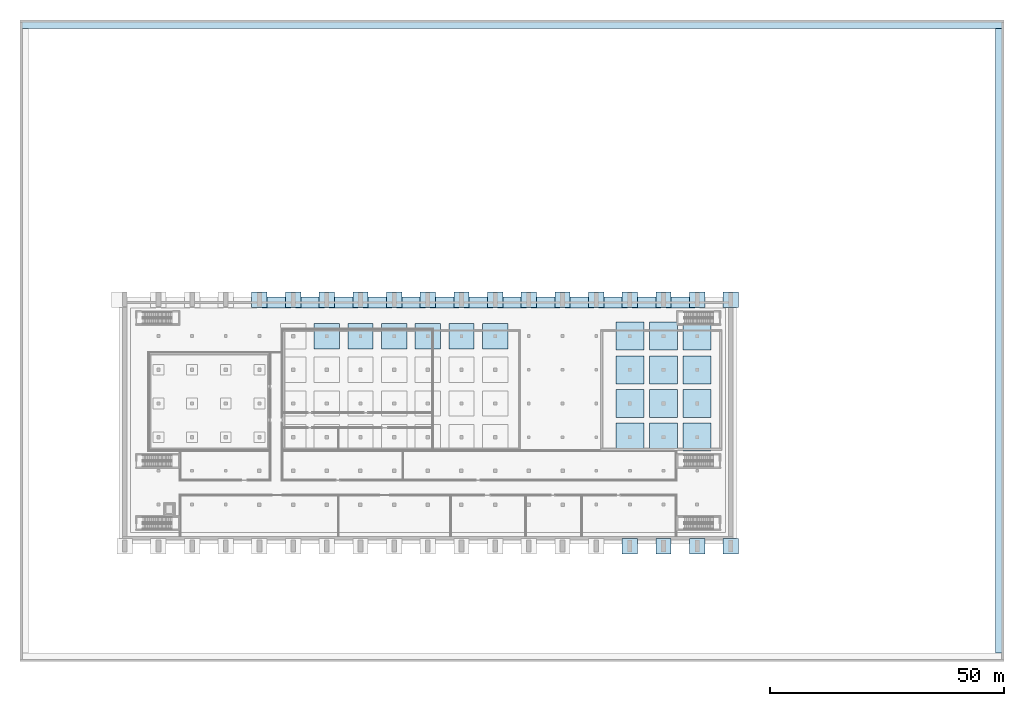
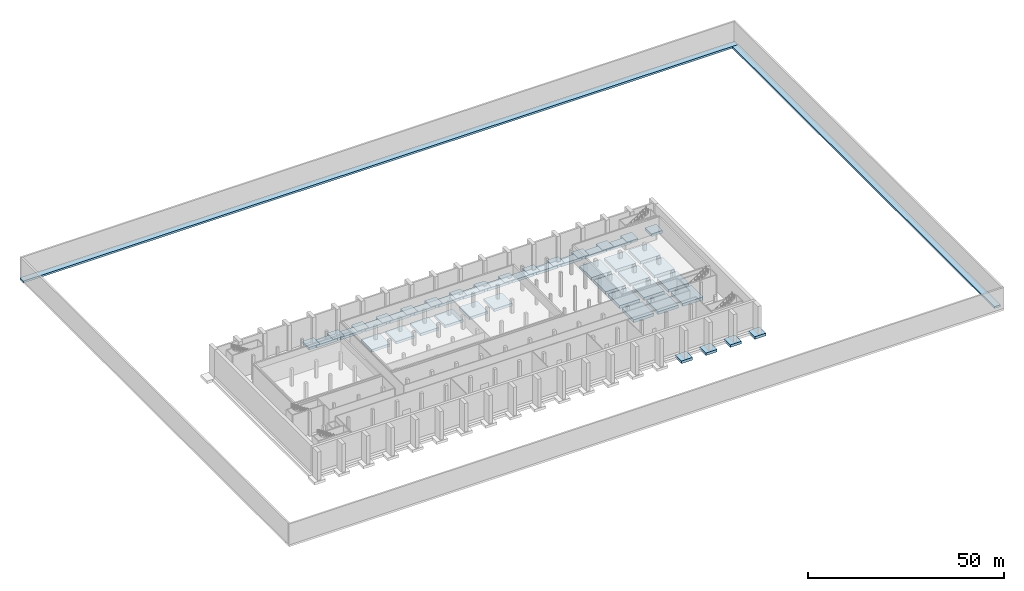
# One storey, part 2 of 14: 52 footings.
"""IFC4 building model written with IfcOpenShell, lengths in metres."""

from ifc_helpers import new_model, si_unit, direction, frame, origin, place, context, subcontext, project, spatial, polyline, outline, extrude, material, layer, layer_set, type_object, element, save


model = new_model("IFC4")

# Units and contexts
model_context = context("Model", 3, precision=1e-05, world=origin(), true_north=direction((0.0, 1.0)))
body_context = subcontext(model_context, "Body", "Model", "MODEL_VIEW")
ifc_project = project(units=[si_unit("LENGTHUNIT", "METRE"), si_unit("AREAUNIT", "SQUARE_METRE"), si_unit("VOLUMEUNIT", "CUBIC_METRE"), si_unit("PLANEANGLEUNIT", "RADIAN"), si_unit("MASSUNIT", "GRAM", prefix="KILO")], contexts=[model_context])

# Site, building, storey
site_placement = place(None, origin())
site = spatial("IfcSite", under=ifc_project, at=site_placement, CompositionType="ELEMENT")
building_placement = place(site_placement, origin())
building = spatial("IfcBuilding", under=site, at=building_placement, Name="Vermilion Court Aquatics Centre", CompositionType="ELEMENT")
storey_placement = place(building_placement, frame((0.0, 0.0, -8.0)))
storey = spatial("IfcBuildingStorey", under=building, at=storey_placement, Name="B1", CompositionType="ELEMENT", Elevation=-8.0)

# Footings
ifc_material_1 = material(Name="Concrete 5000 psi", Category="concrete")
ifc_layer_1 = layer(ifc_material_1, 0.800048828125)
ifc_layer_set_1 = layer_set([ifc_layer_1], Name="Hall competition column pad footing 5400")
footing_type_1 = type_object("IfcFootingType", Name="Hall competition column pad footing 5400", PredefinedType="PAD_FOOTING", material=ifc_layer_set_1)
footing_1_placement = place(storey_placement, frame((0.0, 0.0, -1.60009765625)))
element("IfcFooting", 1, at=footing_1_placement, inside=storey, type_object=footing_type_1, Name="Column pad footing", PredefinedType="PAD_FOOTING", context=body_context, shape_type="SweptSolid", body=[
    extrude(outline(polyline([(54.89990234375, 54.89990234375), (60.300048828125, 54.89990234375), (60.300048828125, 60.300048828125), (54.89990234375, 60.300048828125), (54.89990234375, 54.89990234375)])), origin(), (0.0, 0.0, 1.0), 0.800048828125),
])
footing_2_placement = place(storey_placement, frame((0.0, 0.0, -1.60009765625)))
element("IfcFooting", 2, at=footing_2_placement, inside=storey, type_object=footing_type_1, Name="Column pad footing", PredefinedType="PAD_FOOTING", context=body_context, shape_type="SweptSolid", body=[
    extrude(outline(polyline([(62.10009765625, 54.89990234375), (67.5, 54.89990234375), (67.5, 60.300048828125), (62.10009765625, 60.300048828125), (62.10009765625, 54.89990234375)])), origin(), (0.0, 0.0, 1.0), 0.800048828125),
])
footing_3_placement = place(storey_placement, frame((0.0, 0.0, -1.60009765625)))
element("IfcFooting", 3, at=footing_3_placement, inside=storey, type_object=footing_type_1, Name="Column pad footing", PredefinedType="PAD_FOOTING", context=body_context, shape_type="SweptSolid", body=[
    extrude(outline(polyline([(69.300048828125, 54.89990234375), (74.699951171875, 54.89990234375), (74.699951171875, 60.300048828125), (69.300048828125, 60.300048828125), (69.300048828125, 54.89990234375)])), origin(), (0.0, 0.0, 1.0), 0.800048828125),
])
footing_4_placement = place(storey_placement, frame((0.0, 0.0, -1.60009765625)))
element("IfcFooting", 4, at=footing_4_placement, inside=storey, type_object=footing_type_1, Name="Column pad footing", PredefinedType="PAD_FOOTING", context=body_context, shape_type="SweptSolid", body=[
    extrude(outline(polyline([(76.5, 54.89990234375), (81.89990234375, 54.89990234375), (81.89990234375, 60.300048828125), (76.5, 60.300048828125), (76.5, 54.89990234375)])), origin(), (0.0, 0.0, 1.0), 0.800048828125),
])
footing_5_placement = place(storey_placement, frame((0.0, 0.0, -1.60009765625)))
element("IfcFooting", 5, at=footing_5_placement, inside=storey, type_object=footing_type_1, Name="Column pad footing", PredefinedType="PAD_FOOTING", context=body_context, shape_type="SweptSolid", body=[
    extrude(outline(polyline([(83.699951171875, 54.89990234375), (89.10009765625, 54.89990234375), (89.10009765625, 60.300048828125), (83.699951171875, 60.300048828125), (83.699951171875, 54.89990234375)])), origin(), (0.0, 0.0, 1.0), 0.800048828125),
])
footing_6_placement = place(storey_placement, frame((0.0, 0.0, -1.60009765625)))
element("IfcFooting", 6, at=footing_6_placement, inside=storey, type_object=footing_type_1, Name="Column pad footing", PredefinedType="PAD_FOOTING", context=body_context, shape_type="SweptSolid", body=[
    extrude(outline(polyline([(90.89990234375, 54.89990234375), (96.300048828125, 54.89990234375), (96.300048828125, 60.300048828125), (90.89990234375, 60.300048828125), (90.89990234375, 54.89990234375)])), origin(), (0.0, 0.0, 1.0), 0.800048828125),
])
ifc_material_2 = material(Name="Concrete 5000 psi", Category="concrete")
ifc_layer_2 = layer(ifc_material_2, 0.89990234375)
ifc_layer_set_2 = layer_set([ifc_layer_2], Name="Hall diving column pad footing 6000")
footing_type_2 = type_object("IfcFootingType", Name="Hall diving column pad footing 6000", PredefinedType="PAD_FOOTING", material=ifc_layer_set_2)
footing_7_placement = place(storey_placement, frame((0.0, 0.0, -1.699951171875)))
element("IfcFooting", 7, at=footing_7_placement, inside=storey, type_object=footing_type_2, Name="Column pad footing", PredefinedType="PAD_FOOTING", context=body_context, shape_type="SweptSolid", body=[
    extrude(outline(polyline([(119.39990234375, 33.0), (125.39990234375, 33.0), (125.39990234375, 39.0), (119.39990234375, 39.0), (119.39990234375, 33.0)])), origin(), (0.0, 0.0, 1.0), 0.89990234375),
])
footing_8_placement = place(storey_placement, frame((0.0, 0.0, -1.699951171875)))
element("IfcFooting", 8, at=footing_8_placement, inside=storey, type_object=footing_type_2, Name="Column pad footing", PredefinedType="PAD_FOOTING", context=body_context, shape_type="SweptSolid", body=[
    extrude(outline(polyline([(119.39990234375, 40.199951171875), (125.39990234375, 40.199951171875), (125.39990234375, 46.199951171875), (119.39990234375, 46.199951171875), (119.39990234375, 40.199951171875)])), origin(), (0.0, 0.0, 1.0), 0.89990234375),
])
footing_9_placement = place(storey_placement, frame((0.0, 0.0, -1.699951171875)))
element("IfcFooting", 9, at=footing_9_placement, inside=storey, type_object=footing_type_2, Name="Column pad footing", PredefinedType="PAD_FOOTING", context=body_context, shape_type="SweptSolid", body=[
    extrude(outline(polyline([(119.39990234375, 47.39990234375), (125.39990234375, 47.39990234375), (125.39990234375, 53.39990234375), (119.39990234375, 53.39990234375), (119.39990234375, 47.39990234375)])), origin(), (0.0, 0.0, 1.0), 0.89990234375),
])
footing_10_placement = place(storey_placement, frame((0.0, 0.0, -1.699951171875)))
element("IfcFooting", 10, at=footing_10_placement, inside=storey, type_object=footing_type_2, Name="Column pad footing", PredefinedType="PAD_FOOTING", context=body_context, shape_type="SweptSolid", body=[
    extrude(outline(polyline([(119.39990234375, 54.60009765625), (125.39990234375, 54.60009765625), (125.39990234375, 60.60009765625), (119.39990234375, 60.60009765625), (119.39990234375, 54.60009765625)])), origin(), (0.0, 0.0, 1.0), 0.89990234375),
])
footing_11_placement = place(storey_placement, frame((0.0, 0.0, -1.699951171875)))
element("IfcFooting", 11, at=footing_11_placement, inside=storey, type_object=footing_type_2, Name="Column pad footing", PredefinedType="PAD_FOOTING", context=body_context, shape_type="SweptSolid", body=[
    extrude(outline(polyline([(126.60009765625, 33.0), (132.60009765625, 33.0), (132.60009765625, 39.0), (126.60009765625, 39.0), (126.60009765625, 33.0)])), origin(), (0.0, 0.0, 1.0), 0.89990234375),
])
footing_12_placement = place(storey_placement, frame((0.0, 0.0, -1.699951171875)))
element("IfcFooting", 12, at=footing_12_placement, inside=storey, type_object=footing_type_2, Name="Column pad footing", PredefinedType="PAD_FOOTING", context=body_context, shape_type="SweptSolid", body=[
    extrude(outline(polyline([(126.60009765625, 40.199951171875), (132.60009765625, 40.199951171875), (132.60009765625, 46.199951171875), (126.60009765625, 46.199951171875), (126.60009765625, 40.199951171875)])), origin(), (0.0, 0.0, 1.0), 0.89990234375),
])
footing_13_placement = place(storey_placement, frame((0.0, 0.0, -1.699951171875)))
element("IfcFooting", 13, at=footing_13_placement, inside=storey, type_object=footing_type_2, Name="Column pad footing", PredefinedType="PAD_FOOTING", context=body_context, shape_type="SweptSolid", body=[
    extrude(outline(polyline([(126.60009765625, 47.39990234375), (132.60009765625, 47.39990234375), (132.60009765625, 53.39990234375), (126.60009765625, 53.39990234375), (126.60009765625, 47.39990234375)])), origin(), (0.0, 0.0, 1.0), 0.89990234375),
])
footing_14_placement = place(storey_placement, frame((0.0, 0.0, -1.699951171875)))
element("IfcFooting", 14, at=footing_14_placement, inside=storey, type_object=footing_type_2, Name="Column pad footing", PredefinedType="PAD_FOOTING", context=body_context, shape_type="SweptSolid", body=[
    extrude(outline(polyline([(126.60009765625, 54.60009765625), (132.60009765625, 54.60009765625), (132.60009765625, 60.60009765625), (126.60009765625, 60.60009765625), (126.60009765625, 54.60009765625)])), origin(), (0.0, 0.0, 1.0), 0.89990234375),
])
footing_15_placement = place(storey_placement, frame((0.0, 0.0, -1.699951171875)))
element("IfcFooting", 15, at=footing_15_placement, inside=storey, type_object=footing_type_2, Name="Column pad footing", PredefinedType="PAD_FOOTING", context=body_context, shape_type="SweptSolid", body=[
    extrude(outline(polyline([(133.800048828125, 33.0), (139.800048828125, 33.0), (139.800048828125, 39.0), (133.800048828125, 39.0), (133.800048828125, 33.0)])), origin(), (0.0, 0.0, 1.0), 0.89990234375),
])
footing_16_placement = place(storey_placement, frame((0.0, 0.0, -1.699951171875)))
element("IfcFooting", 16, at=footing_16_placement, inside=storey, type_object=footing_type_2, Name="Column pad footing", PredefinedType="PAD_FOOTING", context=body_context, shape_type="SweptSolid", body=[
    extrude(outline(polyline([(133.800048828125, 40.199951171875), (139.800048828125, 40.199951171875), (139.800048828125, 46.199951171875), (133.800048828125, 46.199951171875), (133.800048828125, 40.199951171875)])), origin(), (0.0, 0.0, 1.0), 0.89990234375),
])
footing_17_placement = place(storey_placement, frame((0.0, 0.0, -1.699951171875)))
element("IfcFooting", 17, at=footing_17_placement, inside=storey, type_object=footing_type_2, Name="Column pad footing", PredefinedType="PAD_FOOTING", context=body_context, shape_type="SweptSolid", body=[
    extrude(outline(polyline([(133.800048828125, 47.39990234375), (139.800048828125, 47.39990234375), (139.800048828125, 53.39990234375), (133.800048828125, 53.39990234375), (133.800048828125, 47.39990234375)])), origin(), (0.0, 0.0, 1.0), 0.89990234375),
])
footing_18_placement = place(storey_placement, frame((0.0, 0.0, -1.699951171875)))
element("IfcFooting", 18, at=footing_18_placement, inside=storey, type_object=footing_type_2, Name="Column pad footing", PredefinedType="PAD_FOOTING", context=body_context, shape_type="SweptSolid", body=[
    extrude(outline(polyline([(133.800048828125, 54.60009765625), (139.800048828125, 54.60009765625), (139.800048828125, 60.60009765625), (133.800048828125, 60.60009765625), (133.800048828125, 54.60009765625)])), origin(), (0.0, 0.0, 1.0), 0.89990234375),
])
ifc_material_3 = material(Name="Concrete 5000 psi", Category="concrete")
ifc_layer_3 = layer(ifc_material_3, 0.800048828125)
ifc_layer_set_3 = layer_set([ifc_layer_3], Name="Hall pier pad footing 3300")
footing_type_3 = type_object("IfcFootingType", Name="Hall pier pad footing 3300", PredefinedType="PAD_FOOTING", material=ifc_layer_set_3)
footing_19_placement = place(storey_placement, frame((0.0, 0.0, -1.60009765625)))
element("IfcFooting", 19, at=footing_19_placement, inside=storey, type_object=footing_type_3, Name="Pier pad footing", PredefinedType="PAD_FOOTING", context=body_context, shape_type="SweptSolid", body=[
    extrude(outline(polyline([(41.550048828125, 63.75), (44.85009765625, 63.75), (44.85009765625, 67.050048828125), (41.550048828125, 67.050048828125), (41.550048828125, 63.75)])), origin(), (0.0, 0.0, 1.0), 0.800048828125),
])
footing_20_placement = place(storey_placement, frame((0.0, 0.0, -1.60009765625)))
element("IfcFooting", 20, at=footing_20_placement, inside=storey, type_object=footing_type_3, Name="Pier pad footing", PredefinedType="PAD_FOOTING", context=body_context, shape_type="SweptSolid", body=[
    extrude(outline(polyline([(48.75, 63.75), (52.050048828125, 63.75), (52.050048828125, 67.050048828125), (48.75, 67.050048828125), (48.75, 63.75)])), origin(), (0.0, 0.0, 1.0), 0.800048828125),
])
footing_21_placement = place(storey_placement, frame((0.0, 0.0, -1.60009765625)))
element("IfcFooting", 21, at=footing_21_placement, inside=storey, type_object=footing_type_3, Name="Pier pad footing", PredefinedType="PAD_FOOTING", context=body_context, shape_type="SweptSolid", body=[
    extrude(outline(polyline([(55.949951171875, 63.75), (59.25, 63.75), (59.25, 67.050048828125), (55.949951171875, 67.050048828125), (55.949951171875, 63.75)])), origin(), (0.0, 0.0, 1.0), 0.800048828125),
])
footing_22_placement = place(storey_placement, frame((0.0, 0.0, -1.60009765625)))
element("IfcFooting", 22, at=footing_22_placement, inside=storey, type_object=footing_type_3, Name="Pier pad footing", PredefinedType="PAD_FOOTING", context=body_context, shape_type="SweptSolid", body=[
    extrude(outline(polyline([(63.14990234375, 63.75), (66.449951171875, 63.75), (66.449951171875, 67.050048828125), (63.14990234375, 67.050048828125), (63.14990234375, 63.75)])), origin(), (0.0, 0.0, 1.0), 0.800048828125),
])
footing_23_placement = place(storey_placement, frame((0.0, 0.0, -1.60009765625)))
element("IfcFooting", 23, at=footing_23_placement, inside=storey, type_object=footing_type_3, Name="Pier pad footing", PredefinedType="PAD_FOOTING", context=body_context, shape_type="SweptSolid", body=[
    extrude(outline(polyline([(70.35009765625, 63.75), (73.64990234375, 63.75), (73.64990234375, 67.050048828125), (70.35009765625, 67.050048828125), (70.35009765625, 63.75)])), origin(), (0.0, 0.0, 1.0), 0.800048828125),
])
footing_24_placement = place(storey_placement, frame((0.0, 0.0, -1.60009765625)))
element("IfcFooting", 24, at=footing_24_placement, inside=storey, type_object=footing_type_3, Name="Pier pad footing", PredefinedType="PAD_FOOTING", context=body_context, shape_type="SweptSolid", body=[
    extrude(outline(polyline([(77.550048828125, 63.75), (80.85009765625, 63.75), (80.85009765625, 67.050048828125), (77.550048828125, 67.050048828125), (77.550048828125, 63.75)])), origin(), (0.0, 0.0, 1.0), 0.800048828125),
])
footing_25_placement = place(storey_placement, frame((0.0, 0.0, -1.60009765625)))
element("IfcFooting", 25, at=footing_25_placement, inside=storey, type_object=footing_type_3, Name="Pier pad footing", PredefinedType="PAD_FOOTING", context=body_context, shape_type="SweptSolid", body=[
    extrude(outline(polyline([(84.75, 63.75), (88.050048828125, 63.75), (88.050048828125, 67.050048828125), (84.75, 67.050048828125), (84.75, 63.75)])), origin(), (0.0, 0.0, 1.0), 0.800048828125),
])
footing_26_placement = place(storey_placement, frame((0.0, 0.0, -1.60009765625)))
element("IfcFooting", 26, at=footing_26_placement, inside=storey, type_object=footing_type_3, Name="Pier pad footing", PredefinedType="PAD_FOOTING", context=body_context, shape_type="SweptSolid", body=[
    extrude(outline(polyline([(91.949951171875, 63.75), (95.25, 63.75), (95.25, 67.050048828125), (91.949951171875, 67.050048828125), (91.949951171875, 63.75)])), origin(), (0.0, 0.0, 1.0), 0.800048828125),
])
footing_27_placement = place(storey_placement, frame((0.0, 0.0, -1.60009765625)))
element("IfcFooting", 27, at=footing_27_placement, inside=storey, type_object=footing_type_3, Name="Pier pad footing", PredefinedType="PAD_FOOTING", context=body_context, shape_type="SweptSolid", body=[
    extrude(outline(polyline([(99.14990234375, 63.75), (102.449951171875, 63.75), (102.449951171875, 67.050048828125), (99.14990234375, 67.050048828125), (99.14990234375, 63.75)])), origin(), (0.0, 0.0, 1.0), 0.800048828125),
])
footing_28_placement = place(storey_placement, frame((0.0, 0.0, -1.60009765625)))
element("IfcFooting", 28, at=footing_28_placement, inside=storey, type_object=footing_type_3, Name="Pier pad footing", PredefinedType="PAD_FOOTING", context=body_context, shape_type="SweptSolid", body=[
    extrude(outline(polyline([(106.35009765625, 63.75), (109.64990234375, 63.75), (109.64990234375, 67.050048828125), (106.35009765625, 67.050048828125), (106.35009765625, 63.75)])), origin(), (0.0, 0.0, 1.0), 0.800048828125),
])
footing_29_placement = place(storey_placement, frame((0.0, 0.0, -1.60009765625)))
element("IfcFooting", 29, at=footing_29_placement, inside=storey, type_object=footing_type_3, Name="Pier pad footing", PredefinedType="PAD_FOOTING", context=body_context, shape_type="SweptSolid", body=[
    extrude(outline(polyline([(113.550048828125, 63.75), (116.85009765625, 63.75), (116.85009765625, 67.050048828125), (113.550048828125, 67.050048828125), (113.550048828125, 63.75)])), origin(), (0.0, 0.0, 1.0), 0.800048828125),
])
footing_30_placement = place(storey_placement, frame((0.0, 0.0, -1.60009765625)))
element("IfcFooting", 30, at=footing_30_placement, inside=storey, type_object=footing_type_3, Name="Pier pad footing", PredefinedType="PAD_FOOTING", context=body_context, shape_type="SweptSolid", body=[
    extrude(outline(polyline([(120.75, 63.75), (124.050048828125, 63.75), (124.050048828125, 67.050048828125), (120.75, 67.050048828125), (120.75, 63.75)])), origin(), (0.0, 0.0, 1.0), 0.800048828125),
])
footing_31_placement = place(storey_placement, frame((0.0, 0.0, -1.60009765625)))
element("IfcFooting", 31, at=footing_31_placement, inside=storey, type_object=footing_type_3, Name="Pier pad footing", PredefinedType="PAD_FOOTING", context=body_context, shape_type="SweptSolid", body=[
    extrude(outline(polyline([(120.75, 11.050048828125), (124.050048828125, 11.050048828125), (124.050048828125, 14.35009765625), (120.75, 14.35009765625), (120.75, 11.050048828125)])), origin(), (0.0, 0.0, 1.0), 0.800048828125),
])
footing_32_placement = place(storey_placement, frame((0.0, 0.0, -1.60009765625)))
element("IfcFooting", 32, at=footing_32_placement, inside=storey, type_object=footing_type_3, Name="Pier pad footing", PredefinedType="PAD_FOOTING", context=body_context, shape_type="SweptSolid", body=[
    extrude(outline(polyline([(127.949951171875, 63.75), (131.25, 63.75), (131.25, 67.050048828125), (127.949951171875, 67.050048828125), (127.949951171875, 63.75)])), origin(), (0.0, 0.0, 1.0), 0.800048828125),
])
footing_33_placement = place(storey_placement, frame((0.0, 0.0, -1.60009765625)))
element("IfcFooting", 33, at=footing_33_placement, inside=storey, type_object=footing_type_3, Name="Pier pad footing", PredefinedType="PAD_FOOTING", context=body_context, shape_type="SweptSolid", body=[
    extrude(outline(polyline([(127.949951171875, 11.050048828125), (131.25, 11.050048828125), (131.25, 14.35009765625), (127.949951171875, 14.35009765625), (127.949951171875, 11.050048828125)])), origin(), (0.0, 0.0, 1.0), 0.800048828125),
])
footing_34_placement = place(storey_placement, frame((0.0, 0.0, -1.60009765625)))
element("IfcFooting", 34, at=footing_34_placement, inside=storey, type_object=footing_type_3, Name="Pier pad footing", PredefinedType="PAD_FOOTING", context=body_context, shape_type="SweptSolid", body=[
    extrude(outline(polyline([(135.14990234375, 63.75), (138.449951171875, 63.75), (138.449951171875, 67.050048828125), (135.14990234375, 67.050048828125), (135.14990234375, 63.75)])), origin(), (0.0, 0.0, 1.0), 0.800048828125),
])
footing_35_placement = place(storey_placement, frame((0.0, 0.0, -1.60009765625)))
element("IfcFooting", 35, at=footing_35_placement, inside=storey, type_object=footing_type_3, Name="Pier pad footing", PredefinedType="PAD_FOOTING", context=body_context, shape_type="SweptSolid", body=[
    extrude(outline(polyline([(135.14990234375, 11.050048828125), (138.449951171875, 11.050048828125), (138.449951171875, 14.35009765625), (135.14990234375, 14.35009765625), (135.14990234375, 11.050048828125)])), origin(), (0.0, 0.0, 1.0), 0.800048828125),
])
footing_36_placement = place(storey_placement, frame((0.0, 0.0, -1.60009765625)))
element("IfcFooting", 36, at=footing_36_placement, inside=storey, type_object=footing_type_3, Name="Pier pad footing", PredefinedType="PAD_FOOTING", context=body_context, shape_type="SweptSolid", body=[
    extrude(outline(polyline([(142.35009765625, 63.75), (145.64990234375, 63.75), (145.64990234375, 67.050048828125), (142.35009765625, 67.050048828125), (142.35009765625, 63.75)])), origin(), (0.0, 0.0, 1.0), 0.800048828125),
])
footing_37_placement = place(storey_placement, frame((0.0, 0.0, -1.60009765625)))
element("IfcFooting", 37, at=footing_37_placement, inside=storey, type_object=footing_type_3, Name="Pier pad footing", PredefinedType="PAD_FOOTING", context=body_context, shape_type="SweptSolid", body=[
    extrude(outline(polyline([(142.35009765625, 11.050048828125), (145.64990234375, 11.050048828125), (145.64990234375, 14.35009765625), (142.35009765625, 14.35009765625), (142.35009765625, 11.050048828125)])), origin(), (0.0, 0.0, 1.0), 0.800048828125),
])
ifc_material_4 = material(Name="Concrete 5000 psi", Category="concrete")
ifc_layer_4 = layer(ifc_material_4, 0.800048828125)
ifc_layer_set_4 = layer_set([ifc_layer_4], Name="Hall wall strip footing 2400")
footing_type_4 = type_object("IfcFootingType", Name="Hall wall strip footing 2400", PredefinedType="STRIP_FOOTING", material=ifc_layer_set_4)
footing_38_placement = place(storey_placement, frame((0.0, 0.0, -1.60009765625)))
element("IfcFooting", 38, at=footing_38_placement, inside=storey, type_object=footing_type_4, Name="Wall strip footing", PredefinedType="STRIP_FOOTING", context=body_context, shape_type="SweptSolid", body=[
    extrude(outline(polyline([(43.699951171875, 63.60009765625), (43.699951171875, 63.75), (44.85009765625, 63.75), (44.85009765625, 66.0), (48.75, 66.0), (48.75, 63.75), (49.89990234375, 63.75), (49.89990234375, 63.60009765625), (43.699951171875, 63.60009765625)])), origin(), (0.0, 0.0, 1.0), 0.800048828125),
])
footing_39_placement = place(storey_placement, frame((0.0, 0.0, -1.60009765625)))
element("IfcFooting", 39, at=footing_39_placement, inside=storey, type_object=footing_type_4, Name="Wall strip footing", PredefinedType="STRIP_FOOTING", context=body_context, shape_type="SweptSolid", body=[
    extrude(outline(polyline([(50.89990234375, 63.60009765625), (50.89990234375, 63.75), (52.050048828125, 63.75), (52.050048828125, 66.0), (55.949951171875, 66.0), (55.949951171875, 63.75), (57.10009765625, 63.75), (57.10009765625, 63.60009765625), (50.89990234375, 63.60009765625)])), origin(), (0.0, 0.0, 1.0), 0.800048828125),
])
footing_40_placement = place(storey_placement, frame((0.0, 0.0, -1.60009765625)))
element("IfcFooting", 40, at=footing_40_placement, inside=storey, type_object=footing_type_4, Name="Wall strip footing", PredefinedType="STRIP_FOOTING", context=body_context, shape_type="SweptSolid", body=[
    extrude(outline(polyline([(58.10009765625, 63.75), (59.25, 63.75), (59.25, 66.0), (63.14990234375, 66.0), (63.14990234375, 63.75), (64.300048828125, 63.75), (64.300048828125, 63.60009765625), (58.10009765625, 63.60009765625), (58.10009765625, 63.75)])), origin(), (0.0, 0.0, 1.0), 0.800048828125),
])
footing_41_placement = place(storey_placement, frame((0.0, 0.0, -1.60009765625)))
element("IfcFooting", 41, at=footing_41_placement, inside=storey, type_object=footing_type_4, Name="Wall strip footing", PredefinedType="STRIP_FOOTING", context=body_context, shape_type="SweptSolid", body=[
    extrude(outline(polyline([(65.300048828125, 63.75), (66.449951171875, 63.75), (66.449951171875, 66.0), (70.35009765625, 66.0), (70.35009765625, 63.75), (71.5, 63.75), (71.5, 63.60009765625), (65.300048828125, 63.60009765625), (65.300048828125, 63.75)])), origin(), (0.0, 0.0, 1.0), 0.800048828125),
])
footing_42_placement = place(storey_placement, frame((0.0, 0.0, -1.60009765625)))
element("IfcFooting", 42, at=footing_42_placement, inside=storey, type_object=footing_type_4, Name="Wall strip footing", PredefinedType="STRIP_FOOTING", context=body_context, shape_type="SweptSolid", body=[
    extrude(outline(polyline([(72.5, 63.60009765625), (72.5, 63.75), (73.64990234375, 63.75), (73.64990234375, 66.0), (77.550048828125, 66.0), (77.550048828125, 63.75), (78.699951171875, 63.75), (78.699951171875, 63.60009765625), (72.5, 63.60009765625)])), origin(), (0.0, 0.0, 1.0), 0.800048828125),
])
footing_43_placement = place(storey_placement, frame((0.0, 0.0, -1.60009765625)))
element("IfcFooting", 43, at=footing_43_placement, inside=storey, type_object=footing_type_4, Name="Wall strip footing", PredefinedType="STRIP_FOOTING", context=body_context, shape_type="SweptSolid", body=[
    extrude(outline(polyline([(79.699951171875, 63.60009765625), (79.699951171875, 63.75), (80.85009765625, 63.75), (80.85009765625, 66.0), (84.75, 66.0), (84.75, 63.75), (85.89990234375, 63.75), (85.89990234375, 63.60009765625), (79.699951171875, 63.60009765625)])), origin(), (0.0, 0.0, 1.0), 0.800048828125),
])
footing_44_placement = place(storey_placement, frame((0.0, 0.0, -1.60009765625)))
element("IfcFooting", 44, at=footing_44_placement, inside=storey, type_object=footing_type_4, Name="Wall strip footing", PredefinedType="STRIP_FOOTING", context=body_context, shape_type="SweptSolid", body=[
    extrude(outline(polyline([(86.89990234375, 63.75), (88.050048828125, 63.75), (88.050048828125, 66.0), (91.949951171875, 66.0), (91.949951171875, 63.75), (93.10009765625, 63.75), (93.10009765625, 63.60009765625), (86.89990234375, 63.60009765625), (86.89990234375, 63.75)])), origin(), (0.0, 0.0, 1.0), 0.800048828125),
])
footing_45_placement = place(storey_placement, frame((0.0, 0.0, -1.60009765625)))
element("IfcFooting", 45, at=footing_45_placement, inside=storey, type_object=footing_type_4, Name="Wall strip footing", PredefinedType="STRIP_FOOTING", context=body_context, shape_type="SweptSolid", body=[
    extrude(outline(polyline([(94.10009765625, 63.75), (95.25, 63.75), (95.25, 66.0), (99.14990234375, 66.0), (99.14990234375, 63.75), (100.300048828125, 63.75), (100.300048828125, 63.60009765625), (94.10009765625, 63.60009765625), (94.10009765625, 63.75)])), origin(), (0.0, 0.0, 1.0), 0.800048828125),
])
footing_46_placement = place(storey_placement, frame((0.0, 0.0, -1.60009765625)))
element("IfcFooting", 46, at=footing_46_placement, inside=storey, type_object=footing_type_4, Name="Wall strip footing", PredefinedType="STRIP_FOOTING", context=body_context, shape_type="SweptSolid", body=[
    extrude(outline(polyline([(101.300048828125, 63.60009765625), (101.300048828125, 63.75), (102.449951171875, 63.75), (102.449951171875, 66.0), (106.35009765625, 66.0), (106.35009765625, 63.75), (107.5, 63.75), (107.5, 63.60009765625), (101.300048828125, 63.60009765625)])), origin(), (0.0, 0.0, 1.0), 0.800048828125),
])
footing_47_placement = place(storey_placement, frame((0.0, 0.0, -1.60009765625)))
element("IfcFooting", 47, at=footing_47_placement, inside=storey, type_object=footing_type_4, Name="Wall strip footing", PredefinedType="STRIP_FOOTING", context=body_context, shape_type="SweptSolid", body=[
    extrude(outline(polyline([(108.5, 63.75), (109.64990234375, 63.75), (109.64990234375, 66.0), (113.550048828125, 66.0), (113.550048828125, 63.75), (114.699951171875, 63.75), (114.699951171875, 63.60009765625), (108.5, 63.60009765625), (108.5, 63.75)])), origin(), (0.0, 0.0, 1.0), 0.800048828125),
])
footing_48_placement = place(storey_placement, frame((0.0, 0.0, -1.60009765625)))
element("IfcFooting", 48, at=footing_48_placement, inside=storey, type_object=footing_type_4, Name="Wall strip footing", PredefinedType="STRIP_FOOTING", context=body_context, shape_type="SweptSolid", body=[
    extrude(outline(polyline([(115.699951171875, 63.75), (116.85009765625, 63.75), (116.85009765625, 66.0), (120.75, 66.0), (120.75, 63.75), (121.89990234375, 63.75), (121.89990234375, 63.60009765625), (115.699951171875, 63.60009765625), (115.699951171875, 63.75)])), origin(), (0.0, 0.0, 1.0), 0.800048828125),
])
footing_49_placement = place(storey_placement, frame((0.0, 0.0, -1.60009765625)))
element("IfcFooting", 49, at=footing_49_placement, inside=storey, type_object=footing_type_4, Name="Wall strip footing", PredefinedType="STRIP_FOOTING", context=body_context, shape_type="SweptSolid", body=[
    extrude(outline(polyline([(122.89990234375, 63.60009765625), (122.89990234375, 63.75), (124.050048828125, 63.75), (124.050048828125, 66.0), (127.949951171875, 66.0), (127.949951171875, 63.75), (129.10009765625, 63.75), (129.10009765625, 63.60009765625), (122.89990234375, 63.60009765625)])), origin(), (0.0, 0.0, 1.0), 0.800048828125),
])
footing_50_placement = place(storey_placement, frame((0.0, 0.0, -1.60009765625)))
element("IfcFooting", 50, at=footing_50_placement, inside=storey, type_object=footing_type_4, Name="Wall strip footing", PredefinedType="STRIP_FOOTING", context=body_context, shape_type="SweptSolid", body=[
    extrude(outline(polyline([(130.10009765625, 63.75), (131.25, 63.75), (131.25, 66.0), (135.14990234375, 66.0), (135.14990234375, 63.75), (136.300048828125, 63.75), (136.300048828125, 63.60009765625), (130.10009765625, 63.60009765625), (130.10009765625, 63.75)])), origin(), (0.0, 0.0, 1.0), 0.800048828125),
])
ifc_material_5 = material(Name="Concrete 5000 psi", Category="concrete")
ifc_layer_5 = layer(ifc_material_5, 0.60009765625)
ifc_layer_set_5 = layer_set([ifc_layer_5], Name="Perimeter wall footing 1800x600")
footing_type_5 = type_object("IfcFootingType", Name="Perimeter wall footing 1800x600", PredefinedType="STRIP_FOOTING", material=ifc_layer_set_5)
footing_51_placement = place(storey_placement, frame((0.0, 0.0, 0.449951171875)))
element("IfcFooting", 51, at=footing_51_placement, inside=storey, type_object=footing_type_5, Name="Perimeter wall footing", PredefinedType="STRIP_FOOTING", context=body_context, shape_type="SweptSolid", body=[
    extrude(outline(polyline([(-8.0, 123.39990234375), (202.39990234375, 123.39990234375), (202.39990234375, 125.199951171875), (-8.0, 125.199951171875), (-8.0, 123.39990234375)])), origin(), (0.0, 0.0, 1.0), 0.60009765625),
])
footing_52_placement = place(storey_placement, frame((0.0, 0.0, 0.449951171875)))
element("IfcFooting", 52, at=footing_52_placement, inside=storey, type_object=footing_type_5, Name="Perimeter wall footing", PredefinedType="STRIP_FOOTING", context=body_context, shape_type="SweptSolid", body=[
    extrude(outline(polyline([(200.60009765625, -10.199951171875), (202.39990234375, -10.199951171875), (202.39990234375, 123.39990234375), (200.60009765625, 123.39990234375), (200.60009765625, -10.199951171875)])), origin(), (0.0, 0.0, 1.0), 0.60009765625),
])

save(model, "model.ifc")
